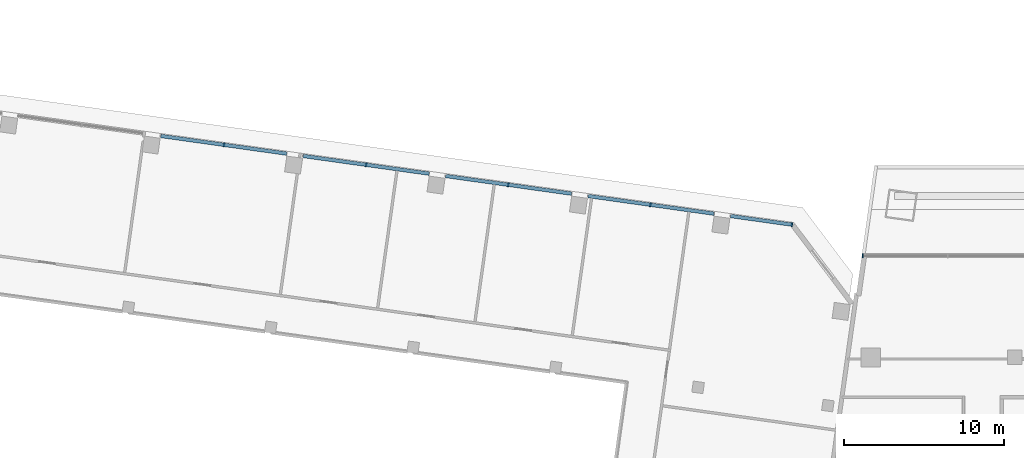
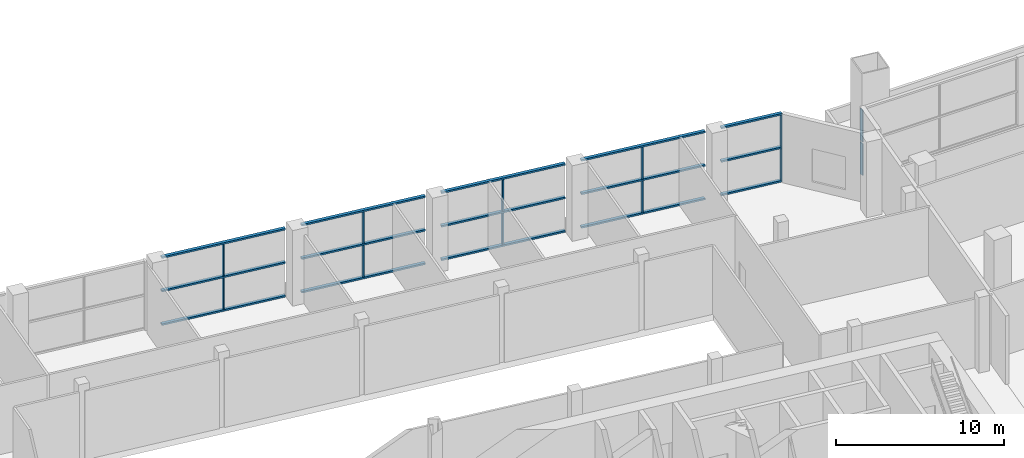
# One storey, part 3 of 23: 27 members, 2 elements without a shape of their own.
"""IFC4 building model written with IfcOpenShell, lengths in metres."""

from ifc_helpers import new_model, si_unit, direction, frame, origin, origin_2d, place, context, subcontext, project, spatial, rectangle, extrude, material, material_profile, profile_set, type_object, element, aggregate, save


model = new_model("IFC4")

# Units and contexts
model_context = context("Model", 3, precision=1e-05, world=origin(), true_north=direction((0.0, 1.0)))
body_context = subcontext(model_context, "Body", "Model", "MODEL_VIEW")
ifc_project = project(units=[si_unit("LENGTHUNIT", "METRE"), si_unit("AREAUNIT", "SQUARE_METRE"), si_unit("VOLUMEUNIT", "CUBIC_METRE"), si_unit("PLANEANGLEUNIT", "RADIAN"), si_unit("MASSUNIT", "GRAM", prefix="KILO")], contexts=[model_context])

# Site, building, storey
site_placement = place(None, origin())
site = spatial("IfcSite", under=ifc_project, at=site_placement, CompositionType="ELEMENT")
building_placement = place(site_placement, origin())
building = spatial("IfcBuilding", under=site, at=building_placement, Name="Mirante Cascada Hotel Towers", CompositionType="ELEMENT")
storey_placement = place(building_placement, frame((0.0, 0.0, 23.5)))
storey = spatial("IfcBuildingStorey", under=building, at=storey_placement, Name="L03", CompositionType="ELEMENT", Elevation=23.5)

# Curtain wall, members
ifc_material_1 = material(Name="Aluminium mullion and transom frame with clear laminated glass", Category="aluminium")
curtain_wall_type = type_object("IfcCurtainWallType", Name="Podium curtain wall ECW3", PredefinedType="NOTDEFINED", material=ifc_material_1)
curtain_wall_1_placement = place(storey_placement, origin())
curtain_wall_1 = element("IfcCurtainWall", 1, at=curtain_wall_1_placement, inside=storey, type_object=curtain_wall_type, Name="Front podium glazing T1 L03", PredefinedType="NOTDEFINED")
ifc_material_2 = material(Name="Anodised aluminium extrusion", Category="aluminium")
ifc_material_profile_1 = material_profile(ifc_material_2, rectangle(XDim=0.26, YDim=0.08, at=origin_2d()), Name="ECW3 MULLION 80x260")
ifc_profile_set_1 = profile_set([ifc_material_profile_1], Name="Anodised aluminium extrusion")
member_type_1 = type_object("IfcMemberType", Name="ECW3 mullion 80x260", PredefinedType="MULLION", material=ifc_profile_set_1)
member_1_placement = place(storey_placement, frame((-67.4737, 22.3018, 0.12), z_axis=(0.0, 0.0, 1.0), x_axis=(0.1391731, 0.9902681, 0.0)))
member_1 = element("IfcMember", 2, at=member_1_placement, type_object=member_type_1, Name="ECW3 mullion 7", PredefinedType="MULLION", context=body_context, shape_type="SweptSolid", body=[
    extrude(rectangle(XDim=0.26, YDim=0.08, at=origin_2d()), origin(), (0.0, 0.0, 1.0), 2.32),
])
member_2_placement = place(storey_placement, frame((-67.4737, 22.3018, 2.56), z_axis=(0.0, 0.0, 1.0), x_axis=(0.1391731, 0.9902681, 0.0)))
member_2 = element("IfcMember", 3, at=member_2_placement, type_object=member_type_1, Name="ECW3 mullion 7", PredefinedType="MULLION", context=body_context, shape_type="SweptSolid", body=[
    extrude(rectangle(XDim=0.26, YDim=0.08, at=origin_2d()), origin(), (0.0, 0.0, 1.0), 2.32),
])
member_3_placement = place(storey_placement, frame((-58.5788, 21.0517, 0.12), z_axis=(0.0, 0.0, 1.0), x_axis=(0.1391731, 0.9902681, 0.0)))
member_3 = element("IfcMember", 4, at=member_3_placement, type_object=member_type_1, Name="ECW3 mullion 9", PredefinedType="MULLION", context=body_context, shape_type="SweptSolid", body=[
    extrude(rectangle(XDim=0.26, YDim=0.08, at=origin_2d()), origin(), (0.0, 0.0, 1.0), 2.32),
])
member_4_placement = place(storey_placement, frame((-58.5788, 21.0517, 2.56), z_axis=(0.0, 0.0, 1.0), x_axis=(0.1391731, 0.9902681, 0.0)))
member_4 = element("IfcMember", 5, at=member_4_placement, type_object=member_type_1, Name="ECW3 mullion 9", PredefinedType="MULLION", context=body_context, shape_type="SweptSolid", body=[
    extrude(rectangle(XDim=0.26, YDim=0.08, at=origin_2d()), origin(), (0.0, 0.0, 1.0), 2.32),
])
member_5_placement = place(storey_placement, frame((-49.684, 19.8017, 0.12), z_axis=(0.0, 0.0, 1.0), x_axis=(0.1391731, 0.9902681, 0.0)))
member_5 = element("IfcMember", 6, at=member_5_placement, type_object=member_type_1, Name="ECW3 mullion 11", PredefinedType="MULLION", context=body_context, shape_type="SweptSolid", body=[
    extrude(rectangle(XDim=0.26, YDim=0.08, at=origin_2d()), origin(), (0.0, 0.0, 1.0), 2.32),
])
member_6_placement = place(storey_placement, frame((-49.684, 19.8017, 2.56), z_axis=(0.0, 0.0, 1.0), x_axis=(0.1391731, 0.9902681, 0.0)))
member_6 = element("IfcMember", 7, at=member_6_placement, type_object=member_type_1, Name="ECW3 mullion 11", PredefinedType="MULLION", context=body_context, shape_type="SweptSolid", body=[
    extrude(rectangle(XDim=0.26, YDim=0.08, at=origin_2d()), origin(), (0.0, 0.0, 1.0), 2.32),
])
member_7_placement = place(storey_placement, frame((-40.7892, 18.5516, 0.12), z_axis=(0.0, 0.0, 1.0), x_axis=(0.1391731, 0.9902681, 0.0)))
member_7 = element("IfcMember", 8, at=member_7_placement, type_object=member_type_1, Name="ECW3 mullion 13", PredefinedType="MULLION", context=body_context, shape_type="SweptSolid", body=[
    extrude(rectangle(XDim=0.26, YDim=0.08, at=origin_2d()), origin(), (0.0, 0.0, 1.0), 2.32),
])
member_8_placement = place(storey_placement, frame((-40.7892, 18.5516, 2.56), z_axis=(0.0, 0.0, 1.0), x_axis=(0.1391731, 0.9902681, 0.0)))
member_8 = element("IfcMember", 9, at=member_8_placement, type_object=member_type_1, Name="ECW3 mullion 13", PredefinedType="MULLION", context=body_context, shape_type="SweptSolid", body=[
    extrude(rectangle(XDim=0.26, YDim=0.08, at=origin_2d()), origin(), (0.0, 0.0, 1.0), 2.32),
])
member_9_placement = place(storey_placement, frame((-31.9339, 17.307, 0.12), z_axis=(0.0, 0.0, 1.0), x_axis=(0.1391731, 0.9902681, 0.0)))
member_9 = element("IfcMember", 10, at=member_9_placement, type_object=member_type_1, Name="ECW3 mullion 15", PredefinedType="MULLION", context=body_context, shape_type="SweptSolid", body=[
    extrude(rectangle(XDim=0.26, YDim=0.08, at=origin_2d()), origin(), (0.0, 0.0, 1.0), 2.32),
])
member_10_placement = place(storey_placement, frame((-31.9339, 17.307, 2.56), z_axis=(0.0, 0.0, 1.0), x_axis=(0.1391731, 0.9902681, 0.0)))
member_10 = element("IfcMember", 11, at=member_10_placement, type_object=member_type_1, Name="ECW3 mullion 15", PredefinedType="MULLION", context=body_context, shape_type="SweptSolid", body=[
    extrude(rectangle(XDim=0.26, YDim=0.08, at=origin_2d()), origin(), (0.0, 0.0, 1.0), 2.32),
])

curtain_wall_2_placement = place(storey_placement, origin())
curtain_wall_2 = element("IfcCurtainWall", 12, at=curtain_wall_2_placement, inside=storey, type_object=curtain_wall_type, Name="Podium curtain wall L03 run 3.5", PredefinedType="NOTDEFINED")
member_11_placement = place(storey_placement, frame((-27.5005, 15.35, 0.12), z_axis=(0.0, 0.0, 1.0), x_axis=(0.0, -1.0, 0.0)))
member_11 = element("IfcMember", 13, at=member_11_placement, type_object=member_type_1, Name="ECW3 mullion 3", PredefinedType="MULLION", context=body_context, shape_type="SweptSolid", body=[
    extrude(rectangle(XDim=0.26, YDim=0.08, at=origin_2d()), origin(), (0.0, 0.0, 1.0), 2.32),
])
member_12_placement = place(storey_placement, frame((-27.5005, 15.35, 2.56), z_axis=(0.0, 0.0, 1.0), x_axis=(0.0, -1.0, 0.0)))
member_12 = element("IfcMember", 14, at=member_12_placement, type_object=member_type_1, Name="ECW3 mullion 3", PredefinedType="MULLION", context=body_context, shape_type="SweptSolid", body=[
    extrude(rectangle(XDim=0.26, YDim=0.08, at=origin_2d()), origin(), (0.0, 0.0, 1.0), 2.32),
])
aggregate(curtain_wall_2, [member_11, member_12])

# Member
ifc_material_3 = material(Name="Anodised aluminium extrusion", Category="aluminium")
ifc_material_profile_2 = material_profile(ifc_material_3, rectangle(XDim=0.22, YDim=0.12, at=origin_2d()), Name="ECW3 TRANSOM 120x220")
ifc_profile_set_2 = profile_set([ifc_material_profile_2], Name="Anodised aluminium extrusion")
member_type_2 = type_object("IfcMemberType", Name="ECW3 transom 120x220", PredefinedType="USERDEFINED", material=ifc_profile_set_2)
member_13_placement = place(storey_placement, frame((-71.4237, 22.857, 0.06), z_axis=(0.9902683, -0.1391715, 0.0), x_axis=(0.1391715, 0.9902683, 0.0)))
member_13 = element("IfcMember", 15, at=member_13_placement, type_object=member_type_2, Name="ECW3 sill transom", ObjectType="TRANSOM", PredefinedType="USERDEFINED", context=body_context, shape_type="SweptSolid", body=[
    extrude(rectangle(XDim=0.22, YDim=0.12, at=origin_2d()), origin(), (0.0, 0.0, 1.0), 7.96),
])

member_14_placement = place(storey_placement, frame((-62.5113, 21.6044, 0.06), z_axis=(0.9902683, -0.1391715, 0.0), x_axis=(0.1391715, 0.9902683, 0.0)))
member_14 = element("IfcMember", 16, at=member_14_placement, type_object=member_type_2, Name="ECW3 sill transom", ObjectType="TRANSOM", PredefinedType="USERDEFINED", context=body_context, shape_type="SweptSolid", body=[
    extrude(rectangle(XDim=0.22, YDim=0.12, at=origin_2d()), origin(), (0.0, 0.0, 1.0), 7.96),
])

member_15_placement = place(storey_placement, frame((-53.5989, 20.3519, 0.06), z_axis=(0.9902666, -0.1391838, 0.0), x_axis=(0.1391838, 0.9902666, 0.0)))
member_15 = element("IfcMember", 17, at=member_15_placement, type_object=member_type_2, Name="ECW3 sill transom", ObjectType="TRANSOM", PredefinedType="USERDEFINED", context=body_context, shape_type="SweptSolid", body=[
    extrude(rectangle(XDim=0.22, YDim=0.12, at=origin_2d()), origin(), (0.0, 0.0, 1.0), 7.96),
])

member_16_placement = place(storey_placement, frame((-44.6865, 19.0993, 0.06), z_axis=(0.9902685, -0.1391698, 0.0), x_axis=(0.1391698, 0.9902685, 0.0)))
member_16 = element("IfcMember", 18, at=member_16_placement, type_object=member_type_2, Name="ECW3 sill transom", ObjectType="TRANSOM", PredefinedType="USERDEFINED", context=body_context, shape_type="SweptSolid", body=[
    extrude(rectangle(XDim=0.22, YDim=0.12, at=origin_2d()), origin(), (0.0, 0.0, 1.0), 7.9601),
])

member_17_placement = place(storey_placement, frame((-35.7741, 17.8467, 0.06), z_axis=(0.9902705, -0.1391555, 0.0), x_axis=(0.1391555, 0.9902705, 0.0)))
member_17 = element("IfcMember", 19, at=member_17_placement, type_object=member_type_2, Name="ECW3 sill transom", ObjectType="TRANSOM", PredefinedType="USERDEFINED", context=body_context, shape_type="SweptSolid", body=[
    extrude(rectangle(XDim=0.22, YDim=0.12, at=origin_2d()), origin(), (0.0, 0.0, 1.0), 3.9179),
])

member_18_placement = place(storey_placement, frame((-71.4237, 22.857, 2.5), z_axis=(0.9902683, -0.1391715, 0.0), x_axis=(0.1391715, 0.9902683, 0.0)))
member_18 = element("IfcMember", 20, at=member_18_placement, type_object=member_type_2, Name="ECW3 intermediate transom", ObjectType="TRANSOM", PredefinedType="USERDEFINED", context=body_context, shape_type="SweptSolid", body=[
    extrude(rectangle(XDim=0.22, YDim=0.12, at=origin_2d()), origin(), (0.0, 0.0, 1.0), 7.96),
])

member_19_placement = place(storey_placement, frame((-62.5113, 21.6044, 2.5), z_axis=(0.9902683, -0.1391715, 0.0), x_axis=(0.1391715, 0.9902683, 0.0)))
member_19 = element("IfcMember", 21, at=member_19_placement, type_object=member_type_2, Name="ECW3 intermediate transom", ObjectType="TRANSOM", PredefinedType="USERDEFINED", context=body_context, shape_type="SweptSolid", body=[
    extrude(rectangle(XDim=0.22, YDim=0.12, at=origin_2d()), origin(), (0.0, 0.0, 1.0), 7.96),
])

member_20_placement = place(storey_placement, frame((-53.5989, 20.3519, 2.5), z_axis=(0.9902666, -0.1391838, 0.0), x_axis=(0.1391838, 0.9902666, 0.0)))
member_20 = element("IfcMember", 22, at=member_20_placement, type_object=member_type_2, Name="ECW3 intermediate transom", ObjectType="TRANSOM", PredefinedType="USERDEFINED", context=body_context, shape_type="SweptSolid", body=[
    extrude(rectangle(XDim=0.22, YDim=0.12, at=origin_2d()), origin(), (0.0, 0.0, 1.0), 7.96),
])

member_21_placement = place(storey_placement, frame((-44.6865, 19.0993, 2.5), z_axis=(0.9902685, -0.1391698, 0.0), x_axis=(0.1391698, 0.9902685, 0.0)))
member_21 = element("IfcMember", 23, at=member_21_placement, type_object=member_type_2, Name="ECW3 intermediate transom", ObjectType="TRANSOM", PredefinedType="USERDEFINED", context=body_context, shape_type="SweptSolid", body=[
    extrude(rectangle(XDim=0.22, YDim=0.12, at=origin_2d()), origin(), (0.0, 0.0, 1.0), 7.9601),
])

member_22_placement = place(storey_placement, frame((-35.7741, 17.8467, 2.5), z_axis=(0.9902705, -0.1391555, 0.0), x_axis=(0.1391555, 0.9902705, 0.0)))
member_22 = element("IfcMember", 24, at=member_22_placement, type_object=member_type_2, Name="ECW3 intermediate transom", ObjectType="TRANSOM", PredefinedType="USERDEFINED", context=body_context, shape_type="SweptSolid", body=[
    extrude(rectangle(XDim=0.22, YDim=0.12, at=origin_2d()), origin(), (0.0, 0.0, 1.0), 3.9179),
])

member_23_placement = place(storey_placement, frame((-71.4237, 22.857, 4.94), z_axis=(0.9902683, -0.1391715, 0.0), x_axis=(0.1391715, 0.9902683, 0.0)))
member_23 = element("IfcMember", 25, at=member_23_placement, type_object=member_type_2, Name="ECW3 head transom", ObjectType="TRANSOM", PredefinedType="USERDEFINED", context=body_context, shape_type="SweptSolid", body=[
    extrude(rectangle(XDim=0.22, YDim=0.12, at=origin_2d()), origin(), (0.0, 0.0, 1.0), 7.96),
])

member_24_placement = place(storey_placement, frame((-62.5113, 21.6044, 4.94), z_axis=(0.9902683, -0.1391715, 0.0), x_axis=(0.1391715, 0.9902683, 0.0)))
member_24 = element("IfcMember", 26, at=member_24_placement, type_object=member_type_2, Name="ECW3 head transom", ObjectType="TRANSOM", PredefinedType="USERDEFINED", context=body_context, shape_type="SweptSolid", body=[
    extrude(rectangle(XDim=0.22, YDim=0.12, at=origin_2d()), origin(), (0.0, 0.0, 1.0), 7.96),
])

member_25_placement = place(storey_placement, frame((-53.5989, 20.3519, 4.94), z_axis=(0.9902666, -0.1391838, 0.0), x_axis=(0.1391838, 0.9902666, 0.0)))
member_25 = element("IfcMember", 27, at=member_25_placement, type_object=member_type_2, Name="ECW3 head transom", ObjectType="TRANSOM", PredefinedType="USERDEFINED", context=body_context, shape_type="SweptSolid", body=[
    extrude(rectangle(XDim=0.22, YDim=0.12, at=origin_2d()), origin(), (0.0, 0.0, 1.0), 7.96),
])

member_26_placement = place(storey_placement, frame((-44.6865, 19.0993, 4.94), z_axis=(0.9902685, -0.1391698, 0.0), x_axis=(0.1391698, 0.9902685, 0.0)))
member_26 = element("IfcMember", 28, at=member_26_placement, type_object=member_type_2, Name="ECW3 head transom", ObjectType="TRANSOM", PredefinedType="USERDEFINED", context=body_context, shape_type="SweptSolid", body=[
    extrude(rectangle(XDim=0.22, YDim=0.12, at=origin_2d()), origin(), (0.0, 0.0, 1.0), 7.9601),
])

member_27_placement = place(storey_placement, frame((-35.7741, 17.8467, 4.94), z_axis=(0.9902705, -0.1391555, 0.0), x_axis=(0.1391555, 0.9902705, 0.0)))
member_27 = element("IfcMember", 29, at=member_27_placement, type_object=member_type_2, Name="ECW3 head transom", ObjectType="TRANSOM", PredefinedType="USERDEFINED", context=body_context, shape_type="SweptSolid", body=[
    extrude(rectangle(XDim=0.22, YDim=0.12, at=origin_2d()), origin(), (0.0, 0.0, 1.0), 3.9179),
])

aggregate(curtain_wall_1, [member_13, member_14, member_15, member_16, member_17, member_18, member_19, member_20, member_21, member_22, member_23, member_24, member_25, member_26, member_27, member_1, member_2, member_3, member_4, member_5, member_6, member_7, member_8, member_9, member_10])

save(model, "model.ifc")
